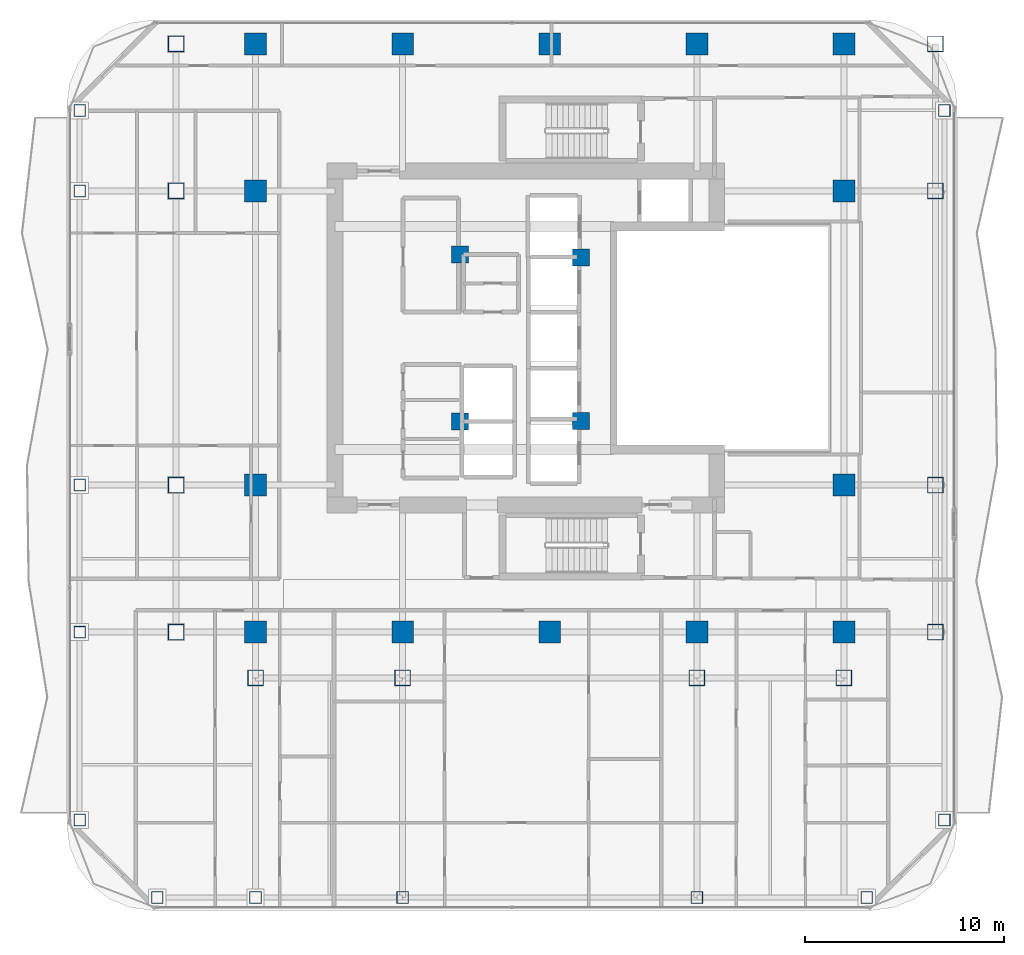
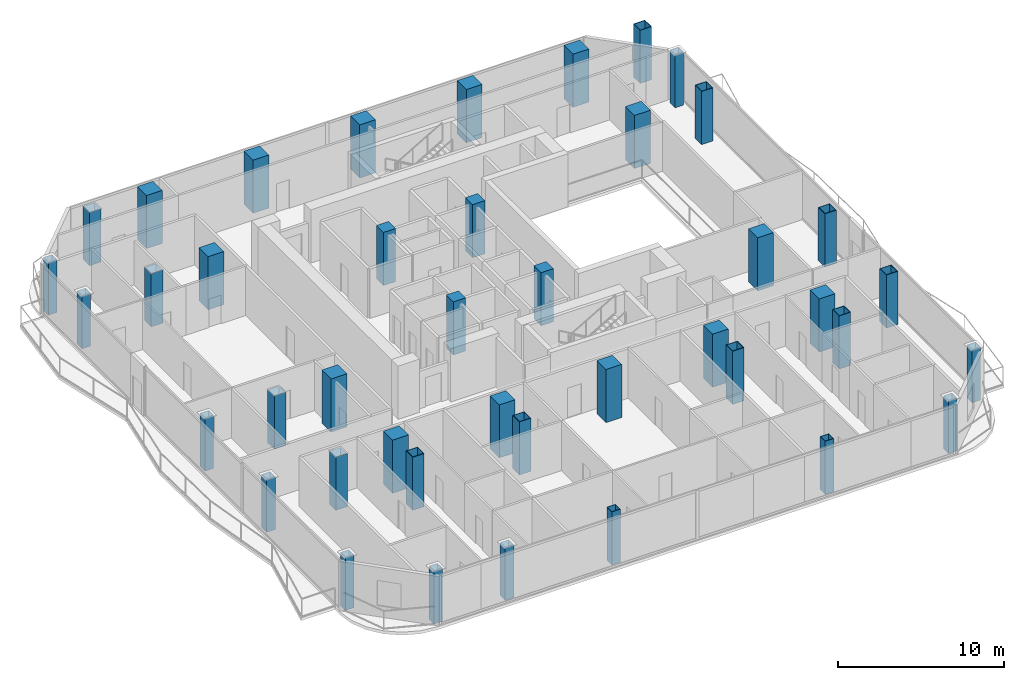
# One storey, part 1 of 24: 42 columns.
"""IFC4 building model written with IfcOpenShell, lengths in metres."""

from ifc_helpers import new_model, si_unit, direction, frame, origin, origin_2d, place, context, subcontext, project, spatial, rectangle, hollow_rectangle, extrude, material, material_profile, profile_set, type_object, element, save


model = new_model("IFC4")

# Units and contexts
model_context = context("Model", 3, precision=1e-05, world=origin(), true_north=direction((0.0, 1.0)))
body_context = subcontext(model_context, "Body", "Model", "MODEL_VIEW")
ifc_project = project(units=[si_unit("LENGTHUNIT", "METRE"), si_unit("AREAUNIT", "SQUARE_METRE"), si_unit("VOLUMEUNIT", "CUBIC_METRE"), si_unit("PLANEANGLEUNIT", "RADIAN"), si_unit("MASSUNIT", "GRAM", prefix="KILO")], contexts=[model_context])

# Site, building, storey
site_placement = place(None, origin())
site = spatial("IfcSite", under=ifc_project, at=site_placement, CompositionType="ELEMENT")
building_placement = place(site_placement, origin())
building = spatial("IfcBuilding", under=site, at=building_placement, Name="Khorvyn Point Tower", CompositionType="ELEMENT")
storey_placement = place(building_placement, frame((0.0, 0.0, 215.699951171875)))
storey = spatial("IfcBuildingStorey", under=building, at=storey_placement, Name="L53", CompositionType="ELEMENT", Elevation=215.699951171875)

# Columns
ifc_material_1 = material(Name="Concrete C40/50", Category="concrete")
ifc_material_profile_1 = material_profile(ifc_material_1, rectangle(XDim=0.85009765625, YDim=0.85009765625, at=origin_2d()))
ifc_profile_set_1 = profile_set([ifc_material_profile_1], Name="Concrete C40/50 RC850x850")
column_type_1 = type_object("IfcColumnType", Name="Concrete C40/50 Column RC850x850", PredefinedType="COLUMN", material=ifc_profile_set_1)
for number, where, z_axis, x_axis, name in (
    (1, (-4.52001953125, -4.199951171875, 0.0), (0.0, 0.0, 1.0), (1.0, 0.0, 0.0), "L53 Crown Core Spine Column 1"),
    (2, (1.580078125, -4.179931640625, 0.0), (0.0, 0.0, 1.0), (1.0, 0.0, 0.0), "L53 Crown Core Spine Column 2"),
    (3, (1.580078125, 4.050048828125, 0.0), (0.0, 0.0, 1.0), (1.0, 0.0, 0.0), "L53 Crown Core Spine Column 3"),
    (4, (-4.52001953125, 4.199951171875, 0.0), (0.0, 0.0, 1.0), (1.0, 0.0, 0.0), "L53 Crown Core Spine Column 4"),
):
    element("IfcColumn", number, at=place(storey_placement, frame(where, z_axis=z_axis, x_axis=x_axis)), inside=storey, type_object=column_type_1, Name=name, PredefinedType="COLUMN", context=body_context, shape_type="SweptSolid", body=[
        extrude(rectangle(XDim=0.85009765625, YDim=0.85009765625, at=origin_2d()), origin(), (0.0, 0.0, 1.0), 3.900146484375),
    ])
ifc_material_2 = material(Name="Concrete C45/55", Category="concrete")
ifc_material_profile_2 = material_profile(ifc_material_2, rectangle(XDim=1.10009765625, YDim=1.10009765625, at=origin_2d()))
ifc_profile_set_2 = profile_set([ifc_material_profile_2], Name="Concrete C45/55 RC1100x1100")
column_type_2 = type_object("IfcColumnType", Name="Concrete C45/55 Column RC1100x1100", PredefinedType="COLUMN", material=ifc_profile_set_2)
for number, where, z_axis, x_axis, name in (
    (5, (-14.800048828125, -14.800048828125, 0.0), (0.0, 0.0, 1.0), (1.0, 0.0, 0.0), "L53 Mega-Column MC-01"),
    (6, (-7.39990234375, -14.800048828125, 0.0), (0.0, 0.0, 1.0), (1.0, 0.0, 0.0), "L53 Mega-Column MC-02"),
    (7, (0.0, -14.800048828125, 0.0), (0.0, 0.0, 1.0), (1.0, 0.0, 0.0), "L53 Mega-Column MC-03"),
    (8, (7.39990234375, -14.800048828125, 0.0), (0.0, 0.0, 1.0), (1.0, 0.0, 0.0), "L53 Mega-Column MC-04"),
    (9, (14.800048828125, -14.800048828125, 0.0), (0.0, 0.0, 1.0), (1.0, 0.0, 0.0), "L53 Mega-Column MC-05"),
    (10, (-14.800048828125, 14.800048828125, 0.0), (0.0, 0.0, 1.0), (1.0, 0.0, 0.0), "L53 Mega-Column MC-06"),
    (11, (-7.39990234375, 14.800048828125, 0.0), (0.0, 0.0, 1.0), (1.0, 0.0, 0.0), "L53 Mega-Column MC-07"),
    (12, (0.0, 14.800048828125, 0.0), (0.0, 0.0, 1.0), (1.0, 0.0, 0.0), "L53 Mega-Column MC-08"),
    (13, (7.39990234375, 14.800048828125, 0.0), (0.0, 0.0, 1.0), (1.0, 0.0, 0.0), "L53 Mega-Column MC-09"),
    (14, (14.800048828125, 14.800048828125, 0.0), (0.0, 0.0, 1.0), (1.0, 0.0, 0.0), "L53 Mega-Column MC-10"),
    (15, (-14.800048828125, -7.39990234375, 0.0), (0.0, 0.0, 1.0), (1.0, 0.0, 0.0), "L53 Mega-Column MC-11"),
    (16, (-14.800048828125, 7.39990234375, 0.0), (0.0, 0.0, 1.0), (1.0, 0.0, 0.0), "L53 Mega-Column MC-12"),
    (17, (14.800048828125, -7.39990234375, 0.0), (0.0, 0.0, 1.0), (1.0, 0.0, 0.0), "L53 Mega-Column MC-13"),
    (18, (14.800048828125, 7.39990234375, 0.0), (0.0, 0.0, 1.0), (1.0, 0.0, 0.0), "L53 Mega-Column MC-14"),
):
    element("IfcColumn", number, at=place(storey_placement, frame(where, z_axis=z_axis, x_axis=x_axis)), inside=storey, type_object=column_type_2, Name=name, PredefinedType="COLUMN", context=body_context, shape_type="SweptSolid", body=[
        extrude(rectangle(XDim=1.10009765625, YDim=1.10009765625, at=origin_2d()), origin(), (0.0, 0.0, 1.0), 3.900146484375),
    ])
ifc_material_3 = material(Name="Steel S450", Category="steel")
ifc_material_profile_3 = material_profile(ifc_material_3, hollow_rectangle(XDim=0.60009765625, YDim=0.60009765625, WallThickness=0.028076171875, at=origin_2d()))
ifc_profile_set_3 = profile_set([ifc_material_profile_3], Name="Steel S450 BOX600x600x28")
column_type_3 = type_object("IfcColumnType", Name="Steel S450 Structural Column BOX600x600x28", PredefinedType="COLUMN", material=ifc_profile_set_3)
for number, where, z_axis, x_axis, name in (
    (19, (-19.75, -28.14990234375, 0.0), (0.0, 0.0, 1.0), (1.0, 0.0, 0.0), "L53 Perimeter Tube Column TC-01"),
    (20, (15.949951171875, -28.14990234375, 0.0), (0.0, 0.0, 1.0), (1.0, 0.0, 0.0), "L53 Perimeter Tube Column TC-02"),
    (21, (-23.64990234375, -24.25, 0.0), (0.0, 0.0, 1.0), (1.0, 0.0, 0.0), "L53 Perimeter Tube Column TC-03"),
    (22, (-23.64990234375, 11.449951171875, 0.0), (0.0, 0.0, 1.0), (1.0, 0.0, 0.0), "L53 Perimeter Tube Column TC-04"),
    (23, (19.85009765625, -24.25, 0.0), (0.0, 0.0, 1.0), (1.0, 0.0, 0.0), "L53 Perimeter Tube Column TC-05"),
    (24, (19.85009765625, 11.449951171875, 0.0), (0.0, 0.0, 1.0), (1.0, 0.0, 0.0), "L53 Perimeter Tube Column TC-06"),
    (25, (-14.800048828125, -28.14990234375, 0.0), (0.0, 0.0, 1.0), (1.0, 0.0, 0.0), "L53 Perimeter Tube Column TC-07"),
    (26, (-7.39990234375, -28.14990234375, 0.0), (0.0, 0.0, 1.0), (1.0, 0.0, 0.0), "L53 Perimeter Tube Column TC-08"),
    (27, (7.39990234375, -28.14990234375, 0.0), (0.0, 0.0, 1.0), (1.0, 0.0, 0.0), "L53 Perimeter Tube Column TC-09"),
    (28, (-23.64990234375, -14.800048828125, 0.0), (0.0, 0.0, 1.0), (1.0, 0.0, 0.0), "L53 Perimeter Tube Column TC-10"),
    (29, (-23.64990234375, -7.39990234375, 0.0), (0.0, 0.0, 1.0), (1.0, 0.0, 0.0), "L53 Perimeter Tube Column TC-11"),
    (30, (-23.64990234375, 7.39990234375, 0.0), (0.0, 0.0, 1.0), (1.0, 0.0, 0.0), "L53 Perimeter Tube Column TC-12"),
):
    element("IfcColumn", number, at=place(storey_placement, frame(where, z_axis=z_axis, x_axis=x_axis)), inside=storey, type_object=column_type_3, Name=name, PredefinedType="COLUMN", context=body_context, shape_type="SweptSolid", body=[
        extrude(hollow_rectangle(XDim=0.60009765625, YDim=0.60009765625, WallThickness=0.028076171875, at=origin_2d()), origin(), (0.0, 0.0, 1.0), 3.900146484375),
    ])
ifc_material_profile_4 = material_profile(ifc_material_3, hollow_rectangle(XDim=0.800048828125, YDim=0.800048828125, WallThickness=0.035888671875, at=origin_2d()))
ifc_profile_set_4 = profile_set([ifc_material_profile_4], Name="Steel S450 BOX800x800x36")
column_type_4 = type_object("IfcColumnType", Name="Steel S450 Structural Column BOX800x800x36", PredefinedType="COLUMN", material=ifc_profile_set_4)
for number, where, z_axis, x_axis, name in (
    (31, (-18.800048828125, -14.800048828125, 0.0), (0.0, 0.0, 1.0), (1.0, 0.0, 0.0), "L53 Intermediate Column ICW--14"),
    (32, (-18.800048828125, -7.39990234375, 0.0), (0.0, 0.0, 1.0), (1.0, 0.0, 0.0), "L53 Intermediate Column ICW--7"),
    (33, (-18.800048828125, 7.39990234375, 0.0), (0.0, 0.0, 1.0), (1.0, 0.0, 0.0), "L53 Intermediate Column ICW-7"),
    (34, (-18.800048828125, 14.800048828125, 0.0), (0.0, 0.0, 1.0), (1.0, 0.0, 0.0), "L53 Intermediate Column ICW-14"),
    (35, (19.39990234375, -14.800048828125, 0.0), (0.0, 0.0, 1.0), (1.0, 0.0, 0.0), "L53 Intermediate Column ICE--14"),
    (36, (19.39990234375, -7.39990234375, 0.0), (0.0, 0.0, 1.0), (1.0, 0.0, 0.0), "L53 Intermediate Column ICE--7"),
    (37, (19.39990234375, 7.39990234375, 0.0), (0.0, 0.0, 1.0), (1.0, 0.0, 0.0), "L53 Intermediate Column ICE-7"),
    (38, (19.39990234375, 14.800048828125, 0.0), (0.0, 0.0, 1.0), (1.0, 0.0, 0.0), "L53 Intermediate Column ICE-14"),
    (39, (-14.800048828125, -17.10009765625, 0.0), (0.0, 0.0, 1.0), (1.0, 0.0, 0.0), "L53 Intermediate Column ICS--14"),
    (40, (-7.39990234375, -17.10009765625, 0.0), (0.0, 0.0, 1.0), (1.0, 0.0, 0.0), "L53 Intermediate Column ICS--7"),
    (41, (7.39990234375, -17.10009765625, 0.0), (0.0, 0.0, 1.0), (1.0, 0.0, 0.0), "L53 Intermediate Column ICS-7"),
    (42, (14.800048828125, -17.10009765625, 0.0), (0.0, 0.0, 1.0), (1.0, 0.0, 0.0), "L53 Intermediate Column ICS-14"),
):
    element("IfcColumn", number, at=place(storey_placement, frame(where, z_axis=z_axis, x_axis=x_axis)), inside=storey, type_object=column_type_4, Name=name, PredefinedType="COLUMN", context=body_context, shape_type="SweptSolid", body=[
        extrude(hollow_rectangle(XDim=0.800048828125, YDim=0.800048828125, WallThickness=0.035888671875, at=origin_2d()), origin(), (0.0, 0.0, 1.0), 3.900146484375),
    ])

save(model, "model.ifc")
